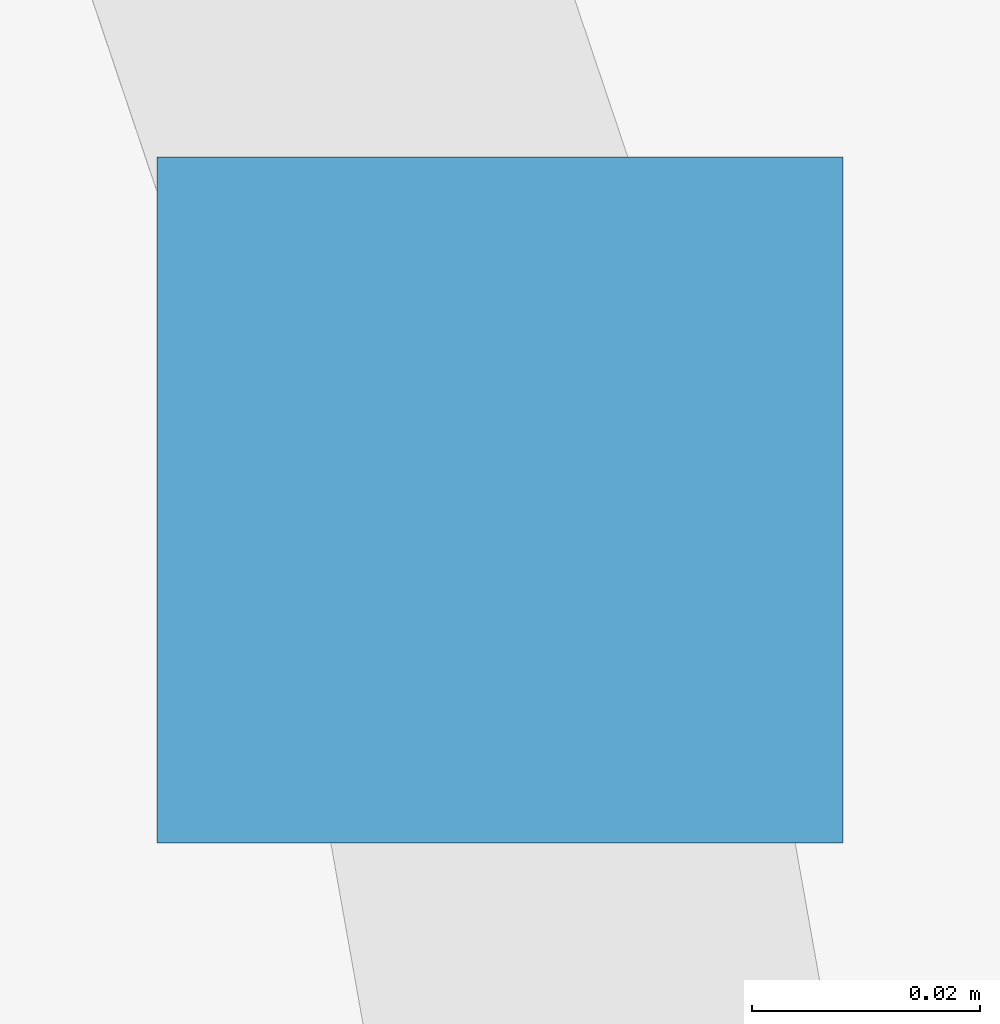
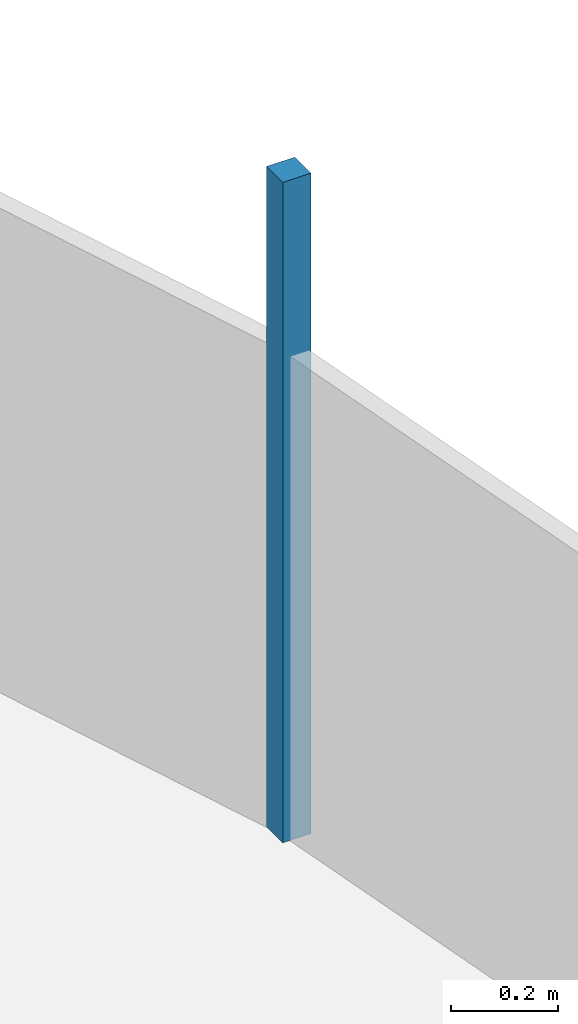
# One storey, part 6 of 9: 1 discrete accessory.
"""IFC4 building model written with IfcOpenShell, lengths in metres."""

from ifc_helpers import new_model, si_unit, direction, frame, origin, origin_2d, place, context, subcontext, project, spatial, rectangle, extrude, material, type_object, element, save


model = new_model("IFC4")

# Units and contexts
model_context = context("Model", 3, precision=1e-05, world=origin(), true_north=direction((0.0, 1.0)))
body_context = subcontext(model_context, "Body", "Model", "MODEL_VIEW")
ifc_project = project(units=[si_unit("LENGTHUNIT", "METRE"), si_unit("AREAUNIT", "SQUARE_METRE"), si_unit("VOLUMEUNIT", "CUBIC_METRE"), si_unit("PLANEANGLEUNIT", "RADIAN"), si_unit("MASSUNIT", "GRAM", prefix="KILO")], contexts=[model_context])

# Site, building, storey
site_placement = place(None, origin())
site = spatial("IfcSite", under=ifc_project, at=site_placement, CompositionType="ELEMENT")
building_placement = place(site_placement, origin())
building = spatial("IfcBuilding", under=site, at=building_placement, Name="Sierra Prisma Convention Tower", CompositionType="ELEMENT")
storey_placement = place(building_placement, frame((0.0, 0.0, 361.0)))
storey = spatial("IfcBuildingStorey", under=building, at=storey_placement, Name="Roof", CompositionType="ELEMENT", Elevation=361.0)

# Discrete accessory
ifc_material = material(Name="Copper")
discrete_accessory_type = type_object("IfcDiscreteAccessoryType", Name="Air terminal", PredefinedType="USERDEFINED", material=ifc_material)
discrete_accessory_placement = place(storey_placement, frame((26.070068359375, -9.116455078125, 0.35009765625), z_axis=(0.0, 0.0, 1.0), x_axis=(1.0, 0.0, 0.0)))
element("IfcDiscreteAccessory", 1, at=discrete_accessory_placement, inside=storey, type_object=discrete_accessory_type, Name="Air terminal 56", ObjectType="AIR TERMINAL", PredefinedType="USERDEFINED", context=body_context, shape_type="SweptSolid", body=[
    extrude(rectangle(XDim=0.06005859375, YDim=0.06005859375, at=origin_2d()), origin(), (0.0, 0.0, 1.0), 1.5),
])

save(model, "model.ifc")
